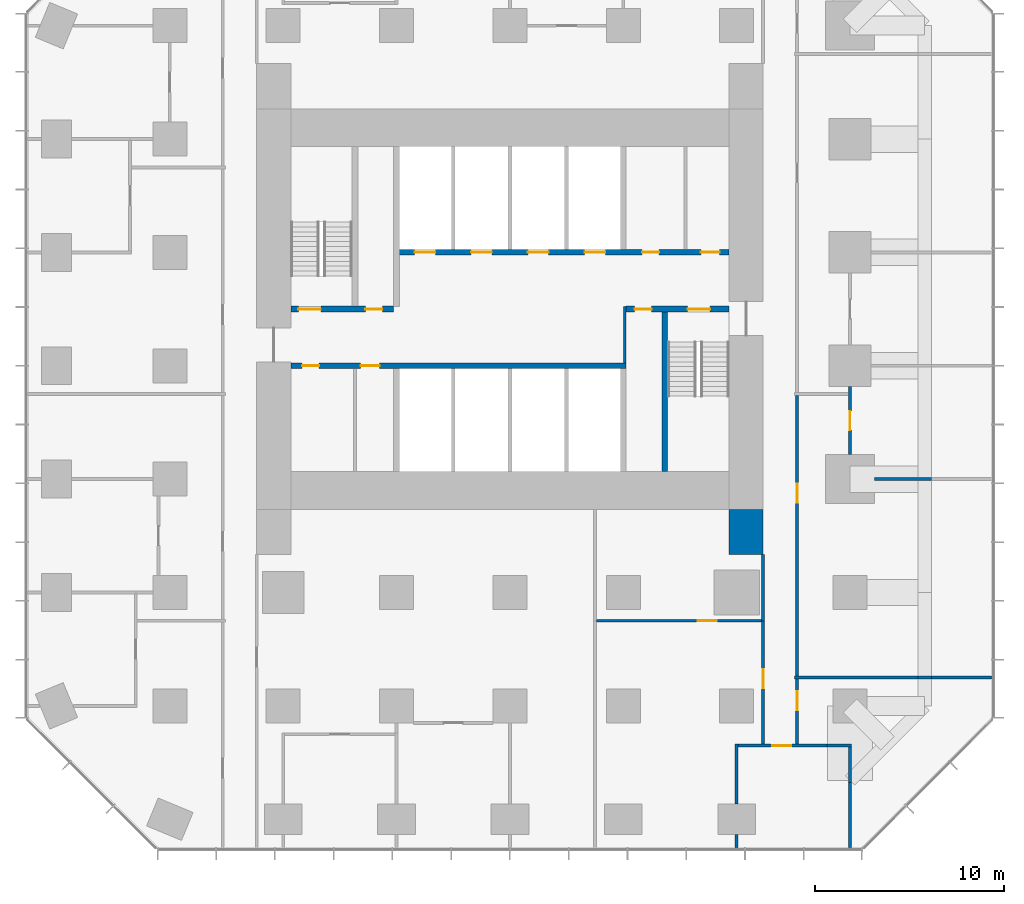
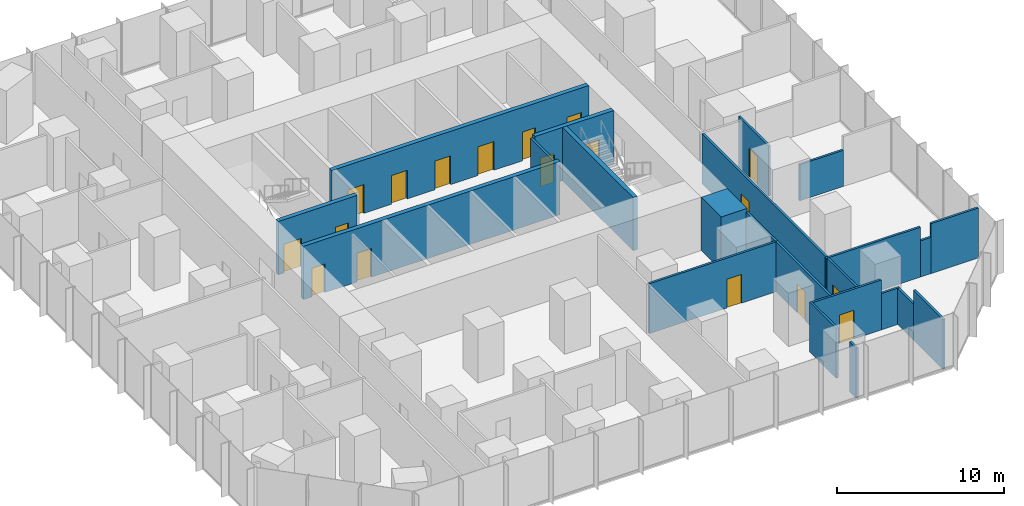
# One storey, part 9 of 12: 23 walls, 18 doors, 18 openings.
"""IFC4 building model written with IfcOpenShell, lengths in metres."""

from ifc_helpers import new_model, si_unit, direction, frame, frame_2d, origin, place, context, subcontext, project, spatial, rectangle, extrude, material, layer, layer_set, type_object, element, fill, save


model = new_model("IFC4")

# Units and contexts
model_context = context("Model", 3, precision=1e-05, world=origin(), true_north=direction((0.0, 1.0)))
body_context = subcontext(model_context, "Body", "Model", "MODEL_VIEW")
ifc_project = project(units=[si_unit("LENGTHUNIT", "METRE"), si_unit("AREAUNIT", "SQUARE_METRE"), si_unit("VOLUMEUNIT", "CUBIC_METRE"), si_unit("PLANEANGLEUNIT", "RADIAN"), si_unit("MASSUNIT", "GRAM", prefix="KILO")], contexts=[model_context])

# Site, building, storey
site_placement = place(None, origin())
site = spatial("IfcSite", under=ifc_project, at=site_placement, CompositionType="ELEMENT")
building_placement = place(site_placement, origin())
building = spatial("IfcBuilding", under=site, at=building_placement, Name="Highveld Stack Headquarters", CompositionType="ELEMENT")
storey_placement = place(building_placement, frame((0.0, 0.0, 53.300048828125)))
storey = spatial("IfcBuildingStorey", under=building, at=storey_placement, Name="L12", CompositionType="ELEMENT", Elevation=53.300048828125)

# Wall, openings, doors
ifc_material_1 = material(Name="Concrete C60/75", Category="concrete")
ifc_layer_1 = layer(ifc_material_1, 0.300048828125)
ifc_layer_set_1 = layer_set([ifc_layer_1], Name="Concrete C60/75")
wall_type_1 = type_object("IfcWallType", Name="CORE WALL 300 C60/75", PredefinedType="SHEAR", material=ifc_layer_set_1)
wall_1_placement = place(storey_placement, frame((-5.60009765625, 0.0, 0.0), z_axis=(0.0, 0.0, 1.0), x_axis=(1.0, 0.0, 0.0)))
wall_1 = element("IfcWall", 1, at=wall_1_placement, inside=storey, type_object=wall_type_1, Name="Core wall I-Y0 L12", PredefinedType="SHEAR", context=body_context, shape_type="SweptSolid", body=[
    extrude(rectangle(XDim=17.75, YDim=0.300048828125, at=frame_2d((8.875, 0.0))), origin(), (0.0, 0.0, 1.0), 3.89990234375),
])
opening_1_placement = place(wall_1_placement, frame((0.60009765625, 0.0, 0.0)))
opening_1 = element("IfcOpeningElement", 2, at=opening_1_placement, cuts=wall_1, Name="Opening L12-07", PredefinedType="OPENING", context=body_context, shape_type="SweptSolid", body=[
    extrude(rectangle(XDim=0.89990234375, YDim=2.10009765625, at=frame_2d((0.449951171875, 1.050048828125))), frame((0.0, 0.159912109375, 0.0), z_axis=(0.0, -1.0, 0.0), x_axis=(1.0, 0.0, 0.0)), (0.0, 0.0, 1.0), 0.320068359375),
])
opening_2_placement = place(wall_1_placement, frame((3.699951171875, 0.0, 0.0)))
opening_2 = element("IfcOpeningElement", 3, at=opening_2_placement, cuts=wall_1, Name="Opening L12-08", PredefinedType="OPENING", context=body_context, shape_type="SweptSolid", body=[
    extrude(rectangle(XDim=1.0, YDim=2.10009765625, at=frame_2d((0.5, 1.050048828125))), frame((0.0, 0.159912109375, 0.0), z_axis=(0.0, -1.0, 0.0), x_axis=(1.0, 0.0, 0.0)), (0.0, 0.0, 1.0), 0.320068359375),
])
ifc_material_2 = material(Name="Steel fire door", Category="steel")
door_type_1 = type_object("IfcDoorType", Name="CORE ROOM FIRE DOOR D14 1000x2100", OperationType="SINGLE_SWING_LEFT", PredefinedType="DOOR", material=ifc_material_2)
door_1_placement = place(opening_2_placement, origin())
door_1 = element("IfcDoor", 4, at=door_1_placement, inside=storey, type_object=door_type_1, Name="Cleaners store door L12", OperationType="SINGLE_SWING_LEFT", OverallHeight=2.10009765625, OverallWidth=1.0, PredefinedType="DOOR", context=body_context, shape_type="SweptSolid", body=[
    extrude(rectangle(XDim=1.0, YDim=2.10009765625, at=frame_2d((0.5, 1.050048828125))), frame((0.0, 0.02490234375, 0.0), z_axis=(0.0, -1.0, 0.0), x_axis=(1.0, 0.0, 0.0)), (0.0, 0.0, 1.0), 0.050048828125),
])
fill(opening_2, door_1)
ifc_material_3 = material(Name="Timber door, painted", Category="wood")
door_type_2 = type_object("IfcDoorType", Name="WC DOOR D1 900x2100", OperationType="SINGLE_SWING_LEFT", PredefinedType="DOOR", material=ifc_material_3)
door_2_placement = place(opening_1_placement, origin())
door_2 = element("IfcDoor", 5, at=door_2_placement, inside=storey, type_object=door_type_2, Name="Female WC door L12", OperationType="SINGLE_SWING_LEFT", OverallHeight=2.10009765625, OverallWidth=0.89990234375, PredefinedType="DOOR", context=body_context, shape_type="SweptSolid", body=[
    extrude(rectangle(XDim=0.89990234375, YDim=2.10009765625, at=frame_2d((0.449951171875, 1.050048828125))), frame((0.0, 0.02490234375, 0.0), z_axis=(0.0, -1.0, 0.0), x_axis=(1.0, 0.0, 0.0)), (0.0, 0.0, 1.0), 0.050048828125),
])
fill(opening_1, door_2)

wall_2_placement = place(storey_placement, frame((-5.60009765625, 3.0, 0.0), z_axis=(0.0, 0.0, 1.0), x_axis=(1.0, 0.0, 0.0)))
wall_2 = element("IfcWall", 6, at=wall_2_placement, inside=storey, type_object=wall_type_1, Name="Core wall I-Y3W L12", PredefinedType="SHEAR", context=body_context, shape_type="SweptSolid", body=[
    extrude(rectangle(XDim=5.4501953125, YDim=0.300048828125, at=frame_2d((2.72509765625, 0.0))), origin(), (0.0, 0.0, 1.0), 3.89990234375),
])
opening_3_placement = place(wall_2_placement, frame((0.39990234375, 0.0, 0.0)))
opening_3 = element("IfcOpeningElement", 7, at=opening_3_placement, cuts=wall_2, Name="Opening L12-03", PredefinedType="OPENING", context=body_context, shape_type="SweptSolid", body=[
    extrude(rectangle(XDim=1.199951171875, YDim=2.10009765625, at=frame_2d((0.60009765625, 1.050048828125))), frame((0.0, 0.159912109375, 0.0), z_axis=(0.0, -1.0, 0.0), x_axis=(1.0, 0.0, 0.0)), (0.0, 0.0, 1.0), 0.320068359375),
])
opening_4_placement = place(wall_2_placement, frame((3.949951171875, 0.0, 0.0)))
opening_4 = element("IfcOpeningElement", 8, at=opening_4_placement, cuts=wall_2, Name="Opening L12-04", PredefinedType="OPENING", context=body_context, shape_type="SweptSolid", body=[
    extrude(rectangle(XDim=0.89990234375, YDim=2.10009765625, at=frame_2d((0.449951171875, 1.050048828125))), frame((0.0, 0.159912109375, 0.0), z_axis=(0.0, -1.0, 0.0), x_axis=(1.0, 0.0, 0.0)), (0.0, 0.0, 1.0), 0.320068359375),
])
ifc_material_4 = material(Name="Steel fire door", Category="steel")
door_type_3 = type_object("IfcDoorType", Name="RISER ACCESS DOOR D5 900x2100", OperationType="SINGLE_SWING_LEFT", PredefinedType="DOOR", material=ifc_material_4)
door_3_placement = place(opening_4_placement, origin())
door_3 = element("IfcDoor", 9, at=door_3_placement, inside=storey, type_object=door_type_3, Name="Riser R1 door L12", OperationType="SINGLE_SWING_RIGHT", OverallHeight=2.10009765625, OverallWidth=0.89990234375, PredefinedType="DOOR", context=body_context, shape_type="SweptSolid", body=[
    extrude(rectangle(XDim=0.89990234375, YDim=2.10009765625, at=frame_2d((0.449951171875, 1.050048828125))), frame((0.0, 0.02490234375, 0.0), z_axis=(0.0, -1.0, 0.0), x_axis=(1.0, 0.0, 0.0)), (0.0, 0.0, 1.0), 0.050048828125),
])
fill(opening_4, door_3)
ifc_material_5 = material(Name="Steel fire door", Category="steel")
door_type_4 = type_object("IfcDoorType", Name="STAIR FIRE DOOR D3 1200x2100", OperationType="SINGLE_SWING_LEFT", PredefinedType="DOOR", material=ifc_material_5)
door_4_placement = place(opening_3_placement, origin())
door_4 = element("IfcDoor", 10, at=door_4_placement, inside=storey, type_object=door_type_4, Name="Stair S1 door L12", OperationType="SINGLE_SWING_LEFT", OverallHeight=2.10009765625, OverallWidth=1.199951171875, PredefinedType="DOOR", context=body_context, shape_type="SweptSolid", body=[
    extrude(rectangle(XDim=1.199951171875, YDim=2.10009765625, at=frame_2d((0.60009765625, 1.050048828125))), frame((0.0, 0.02490234375, 0.0), z_axis=(0.0, -1.0, 0.0), x_axis=(1.0, 0.0, 0.0)), (0.0, 0.0, 1.0), 0.050048828125),
])
fill(opening_3, door_4)

wall_3_placement = place(storey_placement, frame((12.14990234375, 3.0, 0.0), z_axis=(0.0, 0.0, 1.0), x_axis=(1.0, 0.0, 0.0)))
wall_3 = element("IfcWall", 11, at=wall_3_placement, inside=storey, type_object=wall_type_1, Name="Core wall I-Y3E L12", PredefinedType="SHEAR", context=body_context, shape_type="SweptSolid", body=[
    extrude(rectangle(XDim=5.4501953125, YDim=0.300048828125, at=frame_2d((2.72509765625, 0.0))), origin(), (0.0, 0.0, 1.0), 3.89990234375),
])
opening_5_placement = place(wall_3_placement, frame((3.25, 0.0, 0.0)))
opening_5 = element("IfcOpeningElement", 12, at=opening_5_placement, cuts=wall_3, Name="Opening L12-05", PredefinedType="OPENING", context=body_context, shape_type="SweptSolid", body=[
    extrude(rectangle(XDim=1.199951171875, YDim=2.10009765625, at=frame_2d((0.60009765625, 1.050048828125))), frame((0.0, 0.159912109375, 0.0), z_axis=(0.0, -1.0, 0.0), x_axis=(1.0, 0.0, 0.0)), (0.0, 0.0, 1.0), 0.320068359375),
])
opening_6_placement = place(wall_3_placement, frame((0.449951171875, 0.0, 0.0)))
opening_6 = element("IfcOpeningElement", 13, at=opening_6_placement, cuts=wall_3, Name="Opening L12-06", PredefinedType="OPENING", context=body_context, shape_type="SweptSolid", body=[
    extrude(rectangle(XDim=0.89990234375, YDim=2.10009765625, at=frame_2d((0.449951171875, 1.050048828125))), frame((0.0, 0.159912109375, 0.0), z_axis=(0.0, -1.0, 0.0), x_axis=(1.0, 0.0, 0.0)), (0.0, 0.0, 1.0), 0.320068359375),
])
door_5_placement = place(opening_6_placement, origin())
door_5 = element("IfcDoor", 14, at=door_5_placement, inside=storey, type_object=door_type_3, Name="Riser R2 door L12", OperationType="SINGLE_SWING_LEFT", OverallHeight=2.10009765625, OverallWidth=0.89990234375, PredefinedType="DOOR", context=body_context, shape_type="SweptSolid", body=[
    extrude(rectangle(XDim=0.89990234375, YDim=2.10009765625, at=frame_2d((0.449951171875, 1.050048828125))), frame((0.0, 0.02490234375, 0.0), z_axis=(0.0, -1.0, 0.0), x_axis=(1.0, 0.0, 0.0)), (0.0, 0.0, 1.0), 0.050048828125),
])
fill(opening_6, door_5)
door_6_placement = place(opening_5_placement, origin())
door_6 = element("IfcDoor", 15, at=door_6_placement, inside=storey, type_object=door_type_4, Name="Stair S2 door L12", OperationType="SINGLE_SWING_RIGHT", OverallHeight=2.10009765625, OverallWidth=1.199951171875, PredefinedType="DOOR", context=body_context, shape_type="SweptSolid", body=[
    extrude(rectangle(XDim=1.199951171875, YDim=2.10009765625, at=frame_2d((0.60009765625, 1.050048828125))), frame((0.0, 0.02490234375, 0.0), z_axis=(0.0, -1.0, 0.0), x_axis=(1.0, 0.0, 0.0)), (0.0, 0.0, 1.0), 0.050048828125),
])
fill(opening_5, door_6)

wall_4_placement = place(storey_placement, frame((-0.14990234375, 6.0, 0.0), z_axis=(0.0, 0.0, 1.0), x_axis=(1.0, 0.0, 0.0)))
wall_4 = element("IfcWall", 16, at=wall_4_placement, inside=storey, type_object=wall_type_1, Name="Core wall I-Y6 L12", PredefinedType="SHEAR", context=body_context, shape_type="SweptSolid", body=[
    extrude(rectangle(XDim=17.75, YDim=0.300048828125, at=frame_2d((8.875, 0.0))), origin(), (0.0, 0.0, 1.0), 3.89990234375),
])
opening_7_placement = place(wall_4_placement, frame((13.14990234375, 0.0, 0.0)))
opening_7 = element("IfcOpeningElement", 17, at=opening_7_placement, cuts=wall_4, Name="Opening L12-09", PredefinedType="OPENING", context=body_context, shape_type="SweptSolid", body=[
    extrude(rectangle(XDim=0.89990234375, YDim=2.10009765625, at=frame_2d((0.449951171875, 1.050048828125))), frame((0.0, 0.159912109375, 0.0), z_axis=(0.0, -1.0, 0.0), x_axis=(1.0, 0.0, 0.0)), (0.0, 0.0, 1.0), 0.320068359375),
])
opening_8_placement = place(wall_4_placement, frame((16.25, 0.0, 0.0)))
opening_8 = element("IfcOpeningElement", 18, at=opening_8_placement, cuts=wall_4, Name="Opening L12-10", PredefinedType="OPENING", context=body_context, shape_type="SweptSolid", body=[
    extrude(rectangle(XDim=1.0, YDim=2.10009765625, at=frame_2d((0.5, 1.050048828125))), frame((0.0, 0.159912109375, 0.0), z_axis=(0.0, -1.0, 0.0), x_axis=(1.0, 0.0, 0.0)), (0.0, 0.0, 1.0), 0.320068359375),
])
opening_9_placement = place(wall_4_placement, frame((1.10009765625, 0.0, 0.0)))
opening_9 = element("IfcOpeningElement", 19, at=opening_9_placement, cuts=wall_4, Name="Opening LD", PredefinedType="OPENING", context=body_context, shape_type="SweptSolid", body=[
    extrude(rectangle(XDim=1.10009765625, YDim=2.10009765625, at=frame_2d((0.550048828125, 1.050048828125))), frame((0.0, 0.159912109375, 0.0), z_axis=(0.0, -1.0, 0.0), x_axis=(1.0, 0.0, 0.0)), (0.0, 0.0, 1.0), 0.320068359375),
])
opening_10_placement = place(wall_4_placement, frame((4.10009765625, 0.0, 0.0)))
opening_10 = element("IfcOpeningElement", 20, at=opening_10_placement, cuts=wall_4, Name="Opening LD", PredefinedType="OPENING", context=body_context, shape_type="SweptSolid", body=[
    extrude(rectangle(XDim=1.10009765625, YDim=2.10009765625, at=frame_2d((0.550048828125, 1.050048828125))), frame((0.0, 0.159912109375, 0.0), z_axis=(0.0, -1.0, 0.0), x_axis=(1.0, 0.0, 0.0)), (0.0, 0.0, 1.0), 0.320068359375),
])
opening_11_placement = place(wall_4_placement, frame((7.10009765625, 0.0, 0.0)))
opening_11 = element("IfcOpeningElement", 21, at=opening_11_placement, cuts=wall_4, Name="Opening LD", PredefinedType="OPENING", context=body_context, shape_type="SweptSolid", body=[
    extrude(rectangle(XDim=1.10009765625, YDim=2.10009765625, at=frame_2d((0.550048828125, 1.050048828125))), frame((0.0, 0.159912109375, 0.0), z_axis=(0.0, -1.0, 0.0), x_axis=(1.0, 0.0, 0.0)), (0.0, 0.0, 1.0), 0.320068359375),
])
opening_12_placement = place(wall_4_placement, frame((10.10009765625, 0.0, 0.0)))
opening_12 = element("IfcOpeningElement", 22, at=opening_12_placement, cuts=wall_4, Name="Opening LD", PredefinedType="OPENING", context=body_context, shape_type="SweptSolid", body=[
    extrude(rectangle(XDim=1.10009765625, YDim=2.10009765625, at=frame_2d((0.550048828125, 1.050048828125))), frame((0.0, 0.159912109375, 0.0), z_axis=(0.0, -1.0, 0.0), x_axis=(1.0, 0.0, 0.0)), (0.0, 0.0, 1.0), 0.320068359375),
])
ifc_material_6 = material(Name="Timber door, painted", Category="wood")
door_type_5 = type_object("IfcDoorType", Name="ACCESSIBLE WC DOOR D2 1000x2100", OperationType="SINGLE_SWING_RIGHT", PredefinedType="DOOR", material=ifc_material_6)
door_7_placement = place(opening_8_placement, origin())
door_7 = element("IfcDoor", 23, at=door_7_placement, inside=storey, type_object=door_type_5, Name="Accessible WC door L12", OperationType="SINGLE_SWING_RIGHT", OverallHeight=2.10009765625, OverallWidth=1.0, PredefinedType="DOOR", context=body_context, shape_type="SweptSolid", body=[
    extrude(rectangle(XDim=1.0, YDim=2.10009765625, at=frame_2d((0.5, 1.050048828125))), frame((0.0, 0.02490234375, 0.0), z_axis=(0.0, -1.0, 0.0), x_axis=(1.0, 0.0, 0.0)), (0.0, 0.0, 1.0), 0.050048828125),
])
fill(opening_8, door_7)
ifc_material_7 = material(Name="Stainless steel lift landing door", Category="steel")
door_type_6 = type_object("IfcDoorType", Name="LIFT LANDING DOOR LD 1100x2100", OperationType="DOUBLE_DOOR_SLIDING", PredefinedType="USERDEFINED", material=ifc_material_7)
door_8_placement = place(opening_9_placement, origin())
door_8 = element("IfcDoor", 24, at=door_8_placement, inside=storey, type_object=door_type_6, Name="Lift landing door FF1 L12", ObjectType="LIFT LANDING DOOR", OperationType="DOUBLE_DOOR_SLIDING", OverallHeight=2.10009765625, OverallWidth=1.10009765625, PredefinedType="USERDEFINED", context=body_context, shape_type="SweptSolid", body=[
    extrude(rectangle(XDim=1.10009765625, YDim=2.10009765625, at=frame_2d((0.550048828125, 1.050048828125))), frame((0.0, 0.02490234375, 0.0), z_axis=(0.0, -1.0, 0.0), x_axis=(1.0, 0.0, 0.0)), (0.0, 0.0, 1.0), 0.050048828125),
])
fill(opening_9, door_8)
door_9_placement = place(opening_10_placement, origin())
door_9 = element("IfcDoor", 25, at=door_9_placement, inside=storey, type_object=door_type_6, Name="Lift landing door FF2 L12", ObjectType="LIFT LANDING DOOR", OperationType="DOUBLE_DOOR_SLIDING", OverallHeight=2.10009765625, OverallWidth=1.10009765625, PredefinedType="USERDEFINED", context=body_context, shape_type="SweptSolid", body=[
    extrude(rectangle(XDim=1.10009765625, YDim=2.10009765625, at=frame_2d((0.550048828125, 1.050048828125))), frame((0.0, 0.02490234375, 0.0), z_axis=(0.0, -1.0, 0.0), x_axis=(1.0, 0.0, 0.0)), (0.0, 0.0, 1.0), 0.050048828125),
])
fill(opening_10, door_9)
door_10_placement = place(opening_11_placement, origin())
door_10 = element("IfcDoor", 26, at=door_10_placement, inside=storey, type_object=door_type_6, Name="Lift landing door A1 L12", ObjectType="LIFT LANDING DOOR", OperationType="DOUBLE_DOOR_SLIDING", OverallHeight=2.10009765625, OverallWidth=1.10009765625, PredefinedType="USERDEFINED", context=body_context, shape_type="SweptSolid", body=[
    extrude(rectangle(XDim=1.10009765625, YDim=2.10009765625, at=frame_2d((0.550048828125, 1.050048828125))), frame((0.0, 0.02490234375, 0.0), z_axis=(0.0, -1.0, 0.0), x_axis=(1.0, 0.0, 0.0)), (0.0, 0.0, 1.0), 0.050048828125),
])
fill(opening_11, door_10)
door_11_placement = place(opening_12_placement, origin())
door_11 = element("IfcDoor", 27, at=door_11_placement, inside=storey, type_object=door_type_6, Name="Lift landing door A2 L12", ObjectType="LIFT LANDING DOOR", OperationType="DOUBLE_DOOR_SLIDING", OverallHeight=2.10009765625, OverallWidth=1.10009765625, PredefinedType="USERDEFINED", context=body_context, shape_type="SweptSolid", body=[
    extrude(rectangle(XDim=1.10009765625, YDim=2.10009765625, at=frame_2d((0.550048828125, 1.050048828125))), frame((0.0, 0.02490234375, 0.0), z_axis=(0.0, -1.0, 0.0), x_axis=(1.0, 0.0, 0.0)), (0.0, 0.0, 1.0), 0.050048828125),
])
fill(opening_12, door_11)
door_12_placement = place(opening_7_placement, origin())
door_12 = element("IfcDoor", 28, at=door_12_placement, inside=storey, type_object=door_type_2, Name="Male WC door L12", OperationType="SINGLE_SWING_RIGHT", OverallHeight=2.10009765625, OverallWidth=0.89990234375, PredefinedType="DOOR", context=body_context, shape_type="SweptSolid", body=[
    extrude(rectangle(XDim=0.89990234375, YDim=2.10009765625, at=frame_2d((0.449951171875, 1.050048828125))), frame((0.0, 0.02490234375, 0.0), z_axis=(0.0, -1.0, 0.0), x_axis=(1.0, 0.0, 0.0)), (0.0, 0.0, 1.0), 0.050048828125),
])
fill(opening_7, door_12)

# Walls
wall_5_placement = place(storey_placement, frame((14.199951171875, -5.60009765625, 0.0), z_axis=(0.0, 0.0, 1.0), x_axis=(0.0, 1.0, 0.0)))
element("IfcWall", 29, at=wall_5_placement, inside=storey, type_object=wall_type_1, Name="Core wall I-RE L12", PredefinedType="SHEAR", context=body_context, shape_type="SweptSolid", body=[
    extrude(rectangle(XDim=8.4501953125, YDim=0.300048828125, at=frame_2d((4.22509765625, 0.0))), origin(), (0.0, 0.0, 1.0), 3.89990234375),
])
ifc_material_8 = material(Name="Concrete C60/75", Category="concrete")
ifc_layer_2 = layer(ifc_material_8, 1.800048828125)
ifc_layer_set_2 = layer_set([ifc_layer_2], Name="Concrete C60/75")
wall_type_2 = type_object("IfcWallType", Name="CORE WING WALL 1800 C60/75", PredefinedType="SHEAR", material=ifc_layer_set_2)
wall_6_placement = place(storey_placement, frame((18.5, -10.0, 0.0), z_axis=(0.0, 0.0, 1.0), x_axis=(0.0, 1.0, 0.0)))
element("IfcWall", 30, at=wall_6_placement, inside=storey, type_object=wall_type_2, Name="Core wing wall ES L12", PredefinedType="SHEAR", context=body_context, shape_type="SweptSolid", body=[
    extrude(rectangle(XDim=2.39990234375, YDim=1.800048828125, at=frame_2d((1.199951171875, 0.0))), origin(), (0.0, 0.0, 1.0), 3.89990234375),
])
ifc_material_9 = material(Name="Concrete blockwork, plastered", Category="masonry")
ifc_layer_3 = layer(ifc_material_9, 0.14990234375)
ifc_layer_set_3 = layer_set([ifc_layer_3], Name="Concrete blockwork, plastered")
wall_type_3 = type_object("IfcWallType", Name="FIRE PARTITION 150 BLOCKWORK", PredefinedType="PARTITIONING", material=ifc_layer_set_3)
wall_7_placement = place(storey_placement, frame((12.074951171875, 0.14990234375, 0.0), z_axis=(0.0, 0.0, 1.0), x_axis=(0.0, 1.0, 0.0)))
element("IfcWall", 31, at=wall_7_placement, inside=storey, type_object=wall_type_3, Name="Riser R2 enclosure L12", PredefinedType="PARTITIONING", context=body_context, shape_type="SweptSolid", body=[
    extrude(rectangle(XDim=3.0, YDim=0.14990234375, at=frame_2d((1.5, 0.0))), origin(), (0.0, 0.0, 1.0), 3.64990234375),
])

# Wall, opening, door
ifc_material_10 = material(Name="Laminated glass in aluminium frame", Category="aluminium")
ifc_layer_4 = layer(ifc_material_10, 0.14990234375)
ifc_layer_set_4 = layer_set([ifc_layer_4], Name="Laminated glass in aluminium frame")
wall_type_4 = type_object("IfcWallType", Name="GLAZED PARTITION 150", PredefinedType="PARTITIONING", material=ifc_layer_set_4)
wall_8_placement = place(storey_placement, frame((24.0, -4.699951171875, 0.0), z_axis=(0.0, 0.0, 1.0), x_axis=(0.0, 1.0, 0.0)))
wall_8 = element("IfcWall", 32, at=wall_8_placement, inside=storey, type_object=wall_type_4, Name="Glazed partition Meeting room L12", PredefinedType="PARTITIONING", context=body_context, shape_type="SweptSolid", body=[
    extrude(rectangle(XDim=3.599853515625, YDim=0.14990234375, at=frame_2d((1.7998046875, 0.0))), origin(), (0.0, 0.0, 1.0), 3.64990234375),
])
opening_13_placement = place(wall_8_placement, frame((1.300048828125, 0.0, 0.0)))
opening_13 = element("IfcOpeningElement", 33, at=opening_13_placement, cuts=wall_8, Name="Opening L12-18", PredefinedType="OPENING", context=body_context, shape_type="SweptSolid", body=[
    extrude(rectangle(XDim=1.0, YDim=2.10009765625, at=frame_2d((0.5, 1.050048828125))), frame((0.0, 0.0849609375, 0.0), z_axis=(0.0, -1.0, 0.0), x_axis=(1.0, 0.0, 0.0)), (0.0, 0.0, 1.0), 0.169921875),
])
ifc_material_11 = material(Name="Timber door, oiled ash", Category="wood")
door_type_7 = type_object("IfcDoorType", Name="ROOM DOOR D6 1000x2100", OperationType="SINGLE_SWING_LEFT", PredefinedType="DOOR", material=ifc_material_11)
door_13_placement = place(opening_13_placement, origin())
door_13 = element("IfcDoor", 34, at=door_13_placement, inside=storey, type_object=door_type_7, Name="Meeting room door 1 L12", OperationType="SINGLE_SWING_RIGHT", OverallHeight=2.10009765625, OverallWidth=1.0, PredefinedType="DOOR", context=body_context, shape_type="SweptSolid", body=[
    extrude(rectangle(XDim=1.0, YDim=2.10009765625, at=frame_2d((0.5, 1.050048828125))), frame((0.0, 0.02490234375, 0.0), z_axis=(0.0, -1.0, 0.0), x_axis=(1.0, 0.0, 0.0)), (0.0, 0.0, 1.0), 0.050048828125),
])
fill(opening_13, door_13)

ifc_material_12 = material(Name="Gypsum plasterboard on steel studs", Category="steel")
ifc_layer_5 = layer(ifc_material_12, 0.14990234375)
ifc_layer_set_5 = layer_set([ifc_layer_5], Name="Gypsum plasterboard on steel studs")
wall_type_5 = type_object("IfcWallType", Name="PARTITION 150 PLASTERBOARD", PredefinedType="PARTITIONING", material=ifc_layer_set_5)
wall_9_placement = place(storey_placement, frame((18.074951171875, -20.10009765625, 0.0), z_axis=(0.0, 0.0, 1.0), x_axis=(1.0, 0.0, 0.0)))
wall_9 = element("IfcWall", 35, at=wall_9_placement, inside=storey, type_object=wall_type_5, Name="Partition Focus room L12", PredefinedType="PARTITIONING", context=body_context, shape_type="SweptSolid", body=[
    extrude(rectangle(XDim=4.715087890625, YDim=0.14990234375, at=frame_2d((2.357421875, 0.0))), origin(), (0.0, 0.0, 1.0), 3.64990234375),
])
opening_14_placement = place(wall_9_placement, frame((1.820068359375, 0.0, 0.0)))
opening_14 = element("IfcOpeningElement", 36, at=opening_14_placement, cuts=wall_9, Name="Opening L12-13", PredefinedType="OPENING", context=body_context, shape_type="SweptSolid", body=[
    extrude(rectangle(XDim=1.0, YDim=2.10009765625, at=frame_2d((0.5, 1.050048828125))), frame((0.0, 0.0849609375, 0.0), z_axis=(0.0, -1.0, 0.0), x_axis=(1.0, 0.0, 0.0)), (0.0, 0.0, 1.0), 0.169921875),
])
door_14_placement = place(opening_14_placement, origin())
door_14 = element("IfcDoor", 37, at=door_14_placement, inside=storey, type_object=door_type_7, Name="Focus room door 1 L12", OperationType="SINGLE_SWING_LEFT", OverallHeight=2.10009765625, OverallWidth=1.0, PredefinedType="DOOR", context=body_context, shape_type="SweptSolid", body=[
    extrude(rectangle(XDim=1.0, YDim=2.10009765625, at=frame_2d((0.5, 1.050048828125))), frame((0.0, 0.02490234375, 0.0), z_axis=(0.0, -1.0, 0.0), x_axis=(1.0, 0.0, 0.0)), (0.0, 0.0, 1.0), 0.050048828125),
])
fill(opening_14, door_14)

# Walls
wall_10_placement = place(storey_placement, frame((22.7900390625, -20.10009765625, 0.0), z_axis=(0.0, 0.0, 1.0), x_axis=(1.0, 0.0, 0.0)))
element("IfcWall", 38, at=wall_10_placement, inside=storey, type_object=wall_type_5, Name="Partition Focus room L12", PredefinedType="PARTITIONING", context=body_context, shape_type="SweptSolid", body=[
    extrude(rectangle(XDim=1.284912109375, YDim=0.14990234375, at=frame_2d((0.642578125, 0.0))), origin(), (0.0, 0.0, 1.0), 2.64990234375),
])
wall_11_placement = place(storey_placement, frame((25.300048828125, -6.0, 0.0), z_axis=(0.0, 0.0, 1.0), x_axis=(1.0, 0.0, 0.0)))
element("IfcWall", 39, at=wall_11_placement, inside=storey, type_object=wall_type_5, Name="Partition Meeting room L12", PredefinedType="PARTITIONING", context=body_context, shape_type="SweptSolid", body=[
    extrude(rectangle(XDim=3.010009765625, YDim=0.14990234375, at=frame_2d((1.5048828125, 0.0))), origin(), (0.0, 0.0, 1.0), 2.64990234375),
])
wall_12_placement = place(storey_placement, frame((18.0, -25.60009765625, 0.0), z_axis=(0.0, 0.0, 1.0), x_axis=(0.0, 1.0, 0.0)))
element("IfcWall", 40, at=wall_12_placement, inside=storey, type_object=wall_type_5, Name="Partition Focus room L12", PredefinedType="PARTITIONING", context=body_context, shape_type="SweptSolid", body=[
    extrude(rectangle(XDim=0.800048828125, YDim=0.14990234375, at=frame_2d((0.39990234375, 0.0))), origin(), (0.0, 0.0, 1.0), 3.64990234375),
])
wall_13_placement = place(storey_placement, frame((18.0, -23.199951171875, 0.0), z_axis=(0.0, 0.0, 1.0), x_axis=(0.0, 1.0, 0.0)))
element("IfcWall", 41, at=wall_13_placement, inside=storey, type_object=wall_type_5, Name="Partition Focus room L12", PredefinedType="PARTITIONING", context=body_context, shape_type="SweptSolid", body=[
    extrude(rectangle(XDim=3.175048828125, YDim=0.14990234375, at=frame_2d((1.58740234375, 0.0))), origin(), (0.0, 0.0, 1.0), 3.64990234375),
])
wall_14_placement = place(storey_placement, frame((24.0, -25.60009765625, 0.0), z_axis=(0.0, 0.0, 1.0), x_axis=(0.0, 1.0, 0.0)))
element("IfcWall", 42, at=wall_14_placement, inside=storey, type_object=wall_type_5, Name="Partition Focus room L12", PredefinedType="PARTITIONING", context=body_context, shape_type="SweptSolid", body=[
    extrude(rectangle(XDim=3.55517578125, YDim=0.14990234375, at=frame_2d((1.777587890625, 0.0))), origin(), (0.0, 0.0, 1.0), 3.64990234375),
])
wall_15_placement = place(storey_placement, frame((24.0, -22.044921875, 0.0), z_axis=(0.0, 0.0, 1.0), x_axis=(0.0, 1.0, 0.0)))
element("IfcWall", 43, at=wall_15_placement, inside=storey, type_object=wall_type_5, Name="Partition Focus room L12", PredefinedType="PARTITIONING", context=body_context, shape_type="SweptSolid", body=[
    extrude(rectangle(XDim=1.869873046875, YDim=0.14990234375, at=frame_2d((0.93505859375, 0.0))), origin(), (0.0, 0.0, 1.0), 2.64990234375),
])

# Wall, opening, door
wall_16_placement = place(storey_placement, frame((19.324951171875, -13.5, 0.0), z_axis=(0.0, 0.0, 1.0), x_axis=(-1.0, 0.0, 0.0)))
wall_16 = element("IfcWall", 44, at=wall_16_placement, inside=storey, type_object=wall_type_5, Name="Partition office neighbourhood L12", PredefinedType="PARTITIONING", context=body_context, shape_type="SweptSolid", body=[
    extrude(rectangle(XDim=8.75, YDim=0.14990234375, at=frame_2d((4.375, 0.0))), origin(), (0.0, 0.0, 1.0), 3.64990234375),
])
opening_15_placement = place(wall_16_placement, frame((2.375, 0.0, 0.0)))
opening_15 = element("IfcOpeningElement", 45, at=opening_15_placement, cuts=wall_16, Name="Opening L12-35", PredefinedType="OPENING", context=body_context, shape_type="SweptSolid", body=[
    extrude(rectangle(XDim=1.0, YDim=2.10009765625, at=frame_2d((0.5, 1.050048828125))), frame((0.0, 0.0849609375, 0.0), z_axis=(0.0, -1.0, 0.0), x_axis=(1.0, 0.0, 0.0)), (0.0, 0.0, 1.0), 0.169921875),
])
door_15_placement = place(opening_15_placement, origin())
door_15 = element("IfcDoor", 46, at=door_15_placement, inside=storey, type_object=door_type_7, Name="Office neighbourhood door L12", OperationType="SINGLE_SWING_LEFT", OverallHeight=2.10009765625, OverallWidth=1.0, PredefinedType="DOOR", context=body_context, shape_type="SweptSolid", body=[
    extrude(rectangle(XDim=1.0, YDim=2.10009765625, at=frame_2d((0.5, 1.050048828125))), frame((0.0, 0.02490234375, 0.0), z_axis=(0.0, -1.0, 0.0), x_axis=(1.0, 0.0, 0.0)), (0.0, 0.0, 1.0), 0.050048828125),
])
fill(opening_15, door_15)

wall_17_placement = place(storey_placement, frame((19.39990234375, -20.02490234375, 0.0), z_axis=(0.0, 0.0, 1.0), x_axis=(0.0, 1.0, 0.0)))
wall_17 = element("IfcWall", 47, at=wall_17_placement, inside=storey, type_object=wall_type_5, Name="Partition office neighbourhood L12", PredefinedType="PARTITIONING", context=body_context, shape_type="SweptSolid", body=[
    extrude(rectangle(XDim=6.52490234375, YDim=0.14990234375, at=frame_2d((3.262451171875, 0.0))), origin(), (0.0, 0.0, 1.0), 3.64990234375),
])
opening_16_placement = place(wall_17_placement, frame((2.949951171875, 0.0, 0.0)))
opening_16 = element("IfcOpeningElement", 48, at=opening_16_placement, cuts=wall_17, Name="Opening L12-34", PredefinedType="OPENING", context=body_context, shape_type="SweptSolid", body=[
    extrude(rectangle(XDim=1.0, YDim=2.10009765625, at=frame_2d((0.5, 1.050048828125))), frame((0.0, 0.0849609375, 0.0), z_axis=(0.0, -1.0, 0.0), x_axis=(1.0, 0.0, 0.0)), (0.0, 0.0, 1.0), 0.169921875),
])
door_16_placement = place(opening_16_placement, origin())
door_16 = element("IfcDoor", 49, at=door_16_placement, inside=storey, type_object=door_type_7, Name="Office neighbourhood door L12", OperationType="SINGLE_SWING_RIGHT", OverallHeight=2.10009765625, OverallWidth=1.0, PredefinedType="DOOR", context=body_context, shape_type="SweptSolid", body=[
    extrude(rectangle(XDim=1.0, YDim=2.10009765625, at=frame_2d((0.5, 1.050048828125))), frame((0.0, 0.02490234375, 0.0), z_axis=(0.0, -1.0, 0.0), x_axis=(1.0, 0.0, 0.0)), (0.0, 0.0, 1.0), 0.050048828125),
])
fill(opening_16, door_16)

# Wall
wall_18_placement = place(storey_placement, frame((19.39990234375, -13.5, 0.0), z_axis=(0.0, 0.0, 1.0), x_axis=(0.0, 1.0, 0.0)))
element("IfcWall", 50, at=wall_18_placement, inside=storey, type_object=wall_type_5, Name="Partition office neighbourhood L12", PredefinedType="PARTITIONING", context=body_context, shape_type="SweptSolid", body=[
    extrude(rectangle(XDim=3.5, YDim=0.14990234375, at=frame_2d((1.75, 0.0))), origin(), (0.0, 0.0, 1.0), 3.64990234375),
])

# Wall, opening, door
wall_19_placement = place(storey_placement, frame((21.199951171875, -20.02490234375, 0.0), z_axis=(0.0, 0.0, 1.0), x_axis=(0.0, 1.0, 0.0)))
wall_19 = element("IfcWall", 51, at=wall_19_placement, inside=storey, type_object=wall_type_5, Name="Partition office neighbourhood L12", PredefinedType="PARTITIONING", context=body_context, shape_type="SweptSolid", body=[
    extrude(rectangle(XDim=3.449951171875, YDim=0.14990234375, at=frame_2d((1.72509765625, 0.0))), origin(), (0.0, 0.0, 1.0), 3.64990234375),
])
opening_17_placement = place(wall_19_placement, frame((1.791015625, 0.0, 0.0)))
opening_17 = element("IfcOpeningElement", 52, at=opening_17_placement, cuts=wall_19, Name="Opening L12-25", PredefinedType="OPENING", context=body_context, shape_type="SweptSolid", body=[
    extrude(rectangle(XDim=1.0, YDim=2.10009765625, at=frame_2d((0.5, 1.050048828125))), frame((0.0, 0.0849609375, 0.0), z_axis=(0.0, -1.0, 0.0), x_axis=(1.0, 0.0, 0.0)), (0.0, 0.0, 1.0), 0.169921875),
])
door_17_placement = place(opening_17_placement, origin())
door_17 = element("IfcDoor", 53, at=door_17_placement, inside=storey, type_object=door_type_7, Name="Office neighbourhood door L12", OperationType="SINGLE_SWING_RIGHT", OverallHeight=2.10009765625, OverallWidth=1.0, PredefinedType="DOOR", context=body_context, shape_type="SweptSolid", body=[
    extrude(rectangle(XDim=1.0, YDim=2.10009765625, at=frame_2d((0.5, 1.050048828125))), frame((0.0, 0.02490234375, 0.0), z_axis=(0.0, -1.0, 0.0), x_axis=(1.0, 0.0, 0.0)), (0.0, 0.0, 1.0), 0.050048828125),
])
fill(opening_17, door_17)

wall_20_placement = place(storey_placement, frame((21.199951171875, -16.425048828125, 0.0), z_axis=(0.0, 0.0, 1.0), x_axis=(0.0, 1.0, 0.0)))
wall_20 = element("IfcWall", 54, at=wall_20_placement, inside=storey, type_object=wall_type_5, Name="Partition office neighbourhood L12", PredefinedType="PARTITIONING", context=body_context, shape_type="SweptSolid", body=[
    extrude(rectangle(XDim=14.85009765625, YDim=0.14990234375, at=frame_2d((7.425048828125, 0.0))), origin(), (0.0, 0.0, 1.0), 3.64990234375),
])
opening_18_placement = place(wall_20_placement, frame((9.175048828125, 0.0, 0.0)))
opening_18 = element("IfcOpeningElement", 55, at=opening_18_placement, cuts=wall_20, Name="Opening L12-27", PredefinedType="OPENING", context=body_context, shape_type="SweptSolid", body=[
    extrude(rectangle(XDim=1.0, YDim=2.10009765625, at=frame_2d((0.5, 1.050048828125))), frame((0.0, 0.0849609375, 0.0), z_axis=(0.0, -1.0, 0.0), x_axis=(1.0, 0.0, 0.0)), (0.0, 0.0, 1.0), 0.169921875),
])
door_18_placement = place(opening_18_placement, origin())
door_18 = element("IfcDoor", 56, at=door_18_placement, inside=storey, type_object=door_type_7, Name="Office neighbourhood door L12", OperationType="SINGLE_SWING_RIGHT", OverallHeight=2.10009765625, OverallWidth=1.0, PredefinedType="DOOR", context=body_context, shape_type="SweptSolid", body=[
    extrude(rectangle(XDim=1.0, YDim=2.10009765625, at=frame_2d((0.5, 1.050048828125))), frame((0.0, 0.02490234375, 0.0), z_axis=(0.0, -1.0, 0.0), x_axis=(1.0, 0.0, 0.0)), (0.0, 0.0, 1.0), 0.050048828125),
])
fill(opening_18, door_18)

# Walls
wall_21_placement = place(storey_placement, frame((21.050048828125, -16.5, 0.0), z_axis=(0.0, 0.0, 1.0), x_axis=(1.0, 0.0, 0.0)))
element("IfcWall", 57, at=wall_21_placement, inside=storey, type_object=wall_type_5, Name="Partition office neighbourhood L12", PredefinedType="PARTITIONING", context=body_context, shape_type="SweptSolid", body=[
    extrude(rectangle(XDim=6.5400390625, YDim=0.14990234375, at=frame_2d((3.27001953125, 0.0))), origin(), (0.0, 0.0, 1.0), 3.64990234375),
])
wall_22_placement = place(storey_placement, frame((27.590087890625, -16.5, 0.0), z_axis=(0.0, 0.0, 1.0), x_axis=(1.0, 0.0, 0.0)))
element("IfcWall", 58, at=wall_22_placement, inside=storey, type_object=wall_type_5, Name="Partition office neighbourhood L12", PredefinedType="PARTITIONING", context=body_context, shape_type="SweptSolid", body=[
    extrude(rectangle(XDim=0.719970703125, YDim=0.14990234375, at=frame_2d((0.35986328125, 0.0))), origin(), (0.0, 0.0, 1.0), 2.64990234375),
])
wall_23_placement = place(storey_placement, frame((28.31005859375, -16.5, 0.0), z_axis=(0.0, 0.0, 1.0), x_axis=(1.0, 0.0, 0.0)))
element("IfcWall", 59, at=wall_23_placement, inside=storey, type_object=wall_type_5, Name="Partition office neighbourhood L12", PredefinedType="PARTITIONING", context=body_context, shape_type="SweptSolid", body=[
    extrude(rectangle(XDim=3.2900390625, YDim=0.14990234375, at=frame_2d((1.64501953125, 0.0))), origin(), (0.0, 0.0, 1.0), 3.64990234375),
])

save(model, "model.ifc")
